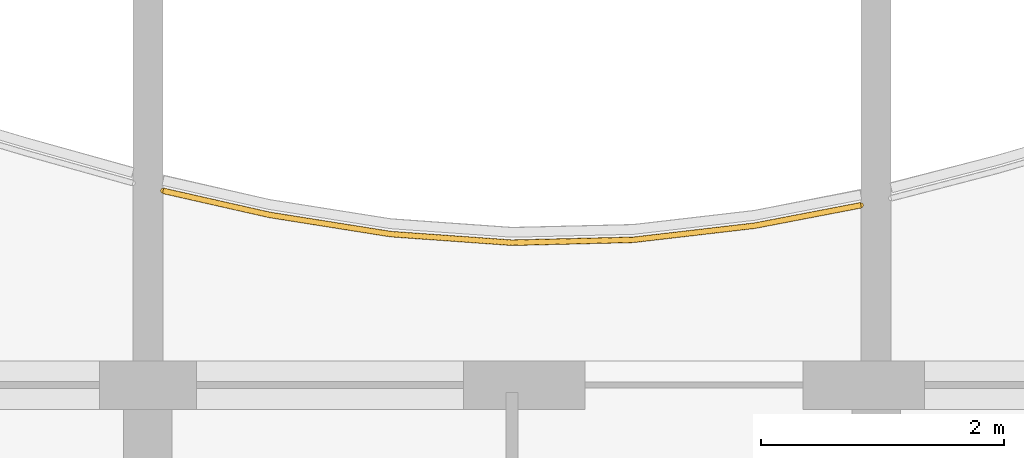
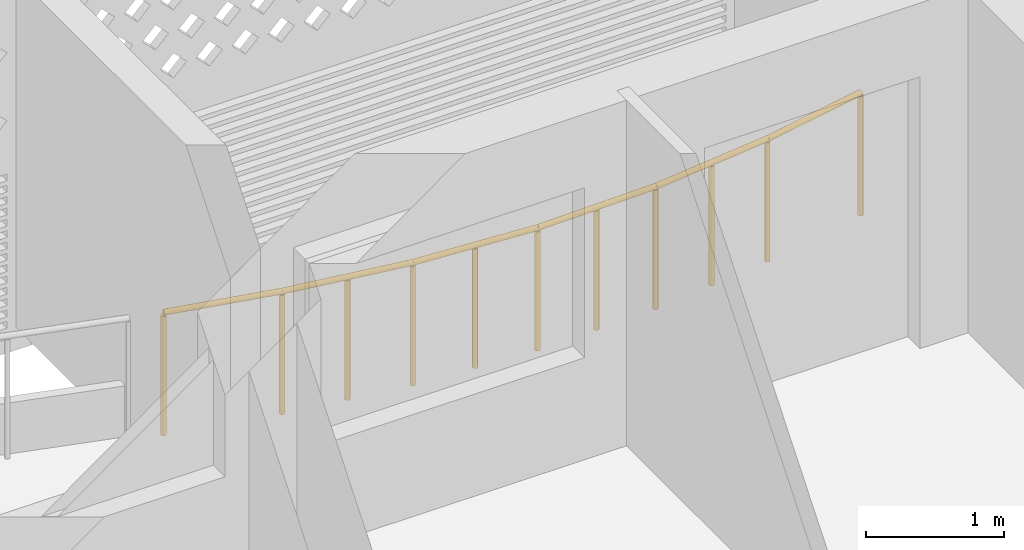
# One storey, part 35 of 40: 1 railing.
"""IFC4 building model written with IfcOpenShell, lengths in metres."""

from ifc_helpers import new_model, si_unit, direction, frame, origin, origin_2d, place, context, subcontext, project, spatial, circle, extrude, material, type_object, element, save


model = new_model("IFC4")

# Units and contexts
model_context = context("Model", 3, precision=1e-05, world=origin(), true_north=direction((0.0, 1.0)))
body_context = subcontext(model_context, "Body", "Model", "MODEL_VIEW")
ifc_project = project(units=[si_unit("LENGTHUNIT", "METRE"), si_unit("AREAUNIT", "SQUARE_METRE"), si_unit("VOLUMEUNIT", "CUBIC_METRE"), si_unit("PLANEANGLEUNIT", "RADIAN"), si_unit("MASSUNIT", "GRAM", prefix="KILO")], contexts=[model_context])

# Site, building, storey
site_placement = place(None, origin())
site = spatial("IfcSite", under=ifc_project, at=site_placement, CompositionType="ELEMENT")
building_placement = place(site_placement, origin())
building = spatial("IfcBuilding", under=site, at=building_placement, Name="Poui Terraces", CompositionType="ELEMENT")
storey_placement = place(building_placement, frame((0.0, 0.0, 33.300048828125)))
storey = spatial("IfcBuildingStorey", under=building, at=storey_placement, Name="L08", CompositionType="ELEMENT", Elevation=33.300048828125)

# Railing
ifc_material = material(Name="Painted steel fretwork", Category="steel")
railing_type = type_object("IfcRailingType", Name="BALCONY GUARD 1100", PredefinedType="GUARDRAIL", material=ifc_material)
railing_placement = place(storey_placement, frame((78.125, 46.400634765625, 0.0)))
element("IfcRailing", 1, at=railing_placement, inside=storey, type_object=railing_type, Name="BALCONY GUARD", PredefinedType="GUARDRAIL", context=body_context, shape_type="SweptSolid", body=[
    extrude(circle(Radius=0.02392578125, at=origin_2d()), frame((0.0, 0.0, 1.076171875), z_axis=(0.975340938218, -0.220703543777, 0.0), x_axis=(0.220703543777, 0.975340938218, 0.0)), (0.0, 0.0, 1.0), 0.897216796875),
    extrude(circle(Radius=0.02392578125, at=origin_2d()), frame((0.875, -0.197998046875, 1.076171875), z_axis=(0.987641453623, -0.156730211146, 0.0), x_axis=(0.156730211146, 0.987641453623, 0.0)), (0.0, 0.0, 1.0), 1.012451171875),
    extrude(circle(Radius=0.02392578125, at=origin_2d()), frame((1.875, -0.356689453125, 1.076171875), z_axis=(0.997485823051, -0.07086630237, 0.0), x_axis=(0.07086630237, 0.997485823051, 0.0)), (0.0, 0.0, 1.0), 1.00244140625),
    extrude(circle(Radius=0.02392578125, at=origin_2d()), frame((2.875, -0.427734375, 1.076171875), z_axis=(0.999713901321, 0.023918936116, 0.0), x_axis=(-0.023918936116, 0.999713901321, 0.0)), (0.0, 0.0, 1.0), 1.000244140625),
    extrude(circle(Radius=0.02392578125, at=origin_2d()), frame((3.875, -0.40380859375, 1.076171875), z_axis=(0.993287307812, 0.115673351032, 0.0), x_axis=(-0.115673351032, 0.993287307812, 0.0)), (0.0, 0.0, 1.0), 1.0068359375),
    extrude(circle(Radius=0.02392578125, at=origin_2d()), frame((4.875, -0.287353515625, 1.076171875), z_axis=(0.982018171219, 0.188786417402, 0.0), x_axis=(-0.188786417402, 0.982018171219, 0.0)), (0.0, 0.0, 1.0), 0.89111328125),
    extrude(circle(Radius=0.02099609375, at=origin_2d()), origin(), (0.0, 0.0, 1.0), 1.052001953125),
    extrude(circle(Radius=0.02099609375, at=origin_2d()), frame((0.875, -0.197998046875, 0.0)), (0.0, 0.0, 1.0), 1.052001953125),
    extrude(circle(Radius=0.02099609375, at=origin_2d()), frame((1.375, -0.27734375, 0.0)), (0.0, 0.0, 1.0), 1.052001953125),
    extrude(circle(Radius=0.02099609375, at=origin_2d()), frame((1.875, -0.356689453125, 0.0)), (0.0, 0.0, 1.0), 1.052001953125),
    extrude(circle(Radius=0.02099609375, at=origin_2d()), frame((2.375, -0.39208984375, 0.0)), (0.0, 0.0, 1.0), 1.052001953125),
    extrude(circle(Radius=0.02099609375, at=origin_2d()), frame((2.875, -0.427734375, 0.0)), (0.0, 0.0, 1.0), 1.052001953125),
    extrude(circle(Radius=0.02099609375, at=origin_2d()), frame((3.375, -0.415771484375, 0.0)), (0.0, 0.0, 1.0), 1.052001953125),
    extrude(circle(Radius=0.02099609375, at=origin_2d()), frame((3.875, -0.40380859375, 0.0)), (0.0, 0.0, 1.0), 1.052001953125),
    extrude(circle(Radius=0.02099609375, at=origin_2d()), frame((4.375, -0.345703125, 0.0)), (0.0, 0.0, 1.0), 1.052001953125),
    extrude(circle(Radius=0.02099609375, at=origin_2d()), frame((4.875, -0.287353515625, 0.0)), (0.0, 0.0, 1.0), 1.052001953125),
    extrude(circle(Radius=0.02099609375, at=origin_2d()), frame((5.75, -0.119140625, 0.0)), (0.0, 0.0, 1.0), 1.052001953125),
])

save(model, "model.ifc")
